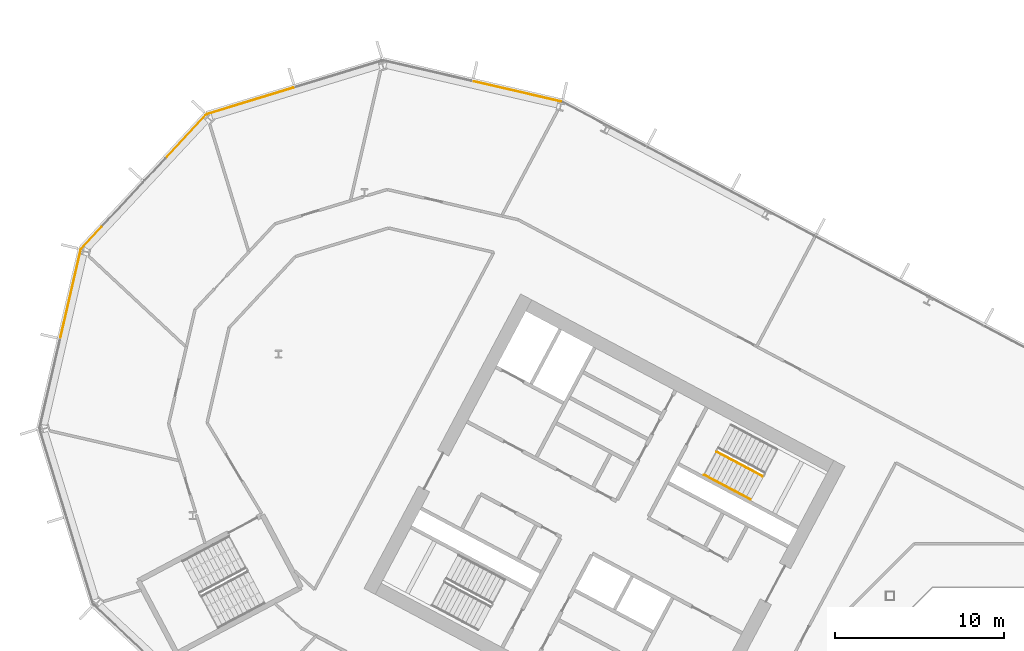
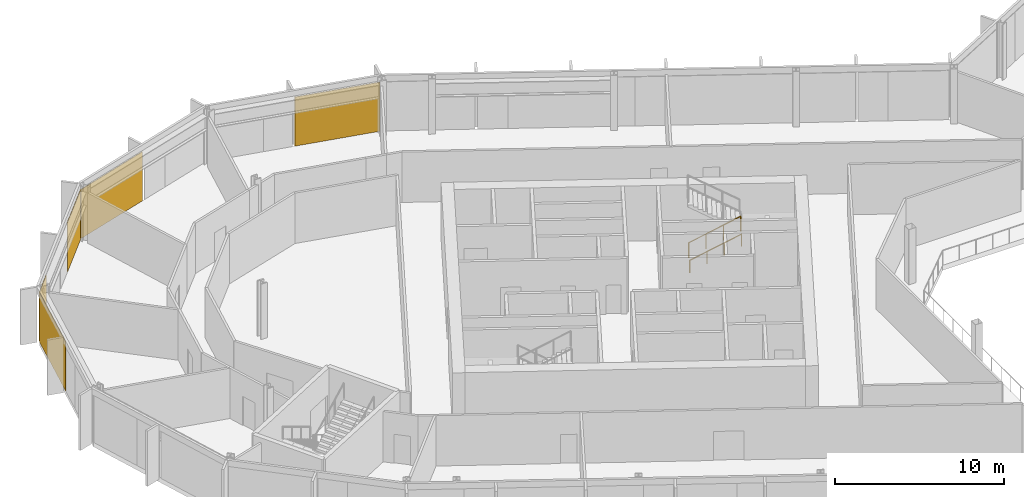
# One storey, part 22 of 28: 5 coverings, 2 railings, 4 elements without a shape of their own.
"""IFC4 building model written with IfcOpenShell, lengths in metres."""

from ifc_helpers import new_model, si_unit, direction, frame, origin, origin_2d, place, context, subcontext, project, spatial, polyline, rectangle, outline, extrude, material, layer, layer_set, type_object, element, aggregate, save


model = new_model("IFC4")

# Units and contexts
model_context = context("Model", 3, precision=1e-05, world=origin(), true_north=direction((0.0, 1.0)))
body_context = subcontext(model_context, "Body", "Model", "MODEL_VIEW")
ifc_project = project(units=[si_unit("LENGTHUNIT", "METRE"), si_unit("AREAUNIT", "SQUARE_METRE"), si_unit("VOLUMEUNIT", "CUBIC_METRE"), si_unit("PLANEANGLEUNIT", "RADIAN"), si_unit("MASSUNIT", "GRAM", prefix="KILO")], contexts=[model_context])

# Site, building, storey
site_placement = place(None, origin())
site = spatial("IfcSite", under=ifc_project, at=site_placement, CompositionType="ELEMENT")
building_placement = place(site_placement, origin())
building = spatial("IfcBuilding", under=site, at=building_placement, Name="Cormorant Relay Tower", CompositionType="ELEMENT")
storey_placement = place(building_placement, frame((0.0, 0.0, 142.199951171875)))
storey = spatial("IfcBuildingStorey", under=building, at=storey_placement, Name="L29", CompositionType="ELEMENT", Elevation=142.199951171875)

# Curtain wall, covering
ifc_material_1 = material(Name="Aluminium 6063-T6 anodised bronze", Category="aluminium")
ifc_layer_1 = layer(ifc_material_1, 0.199951171875)
ifc_layer_set_1 = layer_set([ifc_layer_1], Name="CW1 unitised bronze curtain wall with vertical fins")
curtain_wall_type = type_object("IfcCurtainWallType", Name="CW1 unitised bronze curtain wall with vertical fins", PredefinedType="NOTDEFINED", material=ifc_layer_set_1)
curtain_wall_1_placement = place(storey_placement, origin())
curtain_wall_1 = element("IfcCurtainWall", 1, at=curtain_wall_1_placement, inside=storey, type_object=curtain_wall_type, Name="CW1 curtain wall 10", PredefinedType="NOTDEFINED")
ifc_material_2 = material(Name="Pale bronze anodised aluminium insulated panel", Category="aluminium")
ifc_layer_2 = layer(ifc_material_2, 0.0400390625)
ifc_layer_set_2 = layer_set([ifc_layer_2], Name="CW1 pale bronze insulated panel 40")
covering_type = type_object("IfcCoveringType", Name="CW1 pale bronze insulated panel 40", PredefinedType="CLADDING", material=ifc_layer_set_2)
covering_1_placement = place(storey_placement, frame((-32.51708984375, 40.298828125, 0.0), z_axis=(0.0, 0.0, 1.0), x_axis=(-0.974370064785, 0.224951054344, 0.0)))
covering_1 = element("IfcCovering", 2, at=covering_1_placement, type_object=covering_type, Name="CW1 panel S00", PredefinedType="CLADDING", context=body_context, shape_type="SweptSolid", body=[
    extrude(rectangle(XDim=5.28515625, YDim=0.0400390625, at=origin_2d()), origin(), (0.0, 0.0, 1.0), 3.550048828125),
])
aggregate(curtain_wall_1, [covering_1])

curtain_wall_2_placement = place(storey_placement, origin())
curtain_wall_2 = element("IfcCurtainWall", 3, at=curtain_wall_2_placement, inside=storey, type_object=curtain_wall_type, Name="CW1 curtain wall 11", PredefinedType="NOTDEFINED")
covering_2_placement = place(storey_placement, frame((-48.3037109375, 39.73779296875, 0.0), z_axis=(0.0, 0.0, 1.0), x_axis=(-0.956304755963, -0.292371704723, 0.0)))
covering_2 = element("IfcCovering", 4, at=covering_2_placement, type_object=covering_type, Name="CW1 panel S02", PredefinedType="CLADDING", context=body_context, shape_type="SweptSolid", body=[
    extrude(rectangle(XDim=5.360107421875, YDim=0.0400390625, at=origin_2d()), origin(), (0.0, 0.0, 1.0), 3.550048828125),
])
aggregate(curtain_wall_2, [covering_2])

# Curtain wall, coverings
curtain_wall_3_placement = place(storey_placement, origin())
curtain_wall_3 = element("IfcCurtainWall", 5, at=curtain_wall_3_placement, inside=storey, type_object=curtain_wall_type, Name="CW1 curtain wall 12", PredefinedType="NOTDEFINED")
covering_3_placement = place(storey_placement, frame((-52.115234375, 37.61962890625, 0.0), z_axis=(0.0, 0.0, 1.0), x_axis=(-0.681998360062, -0.731353701619, 0.0)))
covering_3 = element("IfcCovering", 6, at=covering_3_placement, type_object=covering_type, Name="CW1 panel S00", PredefinedType="CLADDING", context=body_context, shape_type="SweptSolid", body=[
    extrude(rectangle(XDim=3.485107421875, YDim=0.0400390625, at=origin_2d()), origin(), (0.0, 0.0, 1.0), 3.550048828125),
])
covering_4_placement = place(storey_placement, frame((-57.68896484375, 31.642333984375, 0.0), z_axis=(0.0, 0.0, 1.0), x_axis=(-0.681998360062, -0.731353701619, 0.0)))
covering_4 = element("IfcCovering", 7, at=covering_4_placement, type_object=covering_type, Name="CW1 panel S03", PredefinedType="CLADDING", context=body_context, shape_type="SweptSolid", body=[
    extrude(rectangle(XDim=1.76025390625, YDim=0.0400390625, at=origin_2d()), origin(), (0.0, 0.0, 1.0), 3.550048828125),
])
aggregate(curtain_wall_3, [covering_3, covering_4])

# Curtain wall, covering
curtain_wall_4_placement = place(storey_placement, origin())
curtain_wall_4 = element("IfcCurtainWall", 8, at=curtain_wall_4_placement, inside=storey, type_object=curtain_wall_type, Name="CW1 curtain wall 13", PredefinedType="NOTDEFINED")
covering_5_placement = place(storey_placement, frame((-58.905517578125, 28.341796875, 0.0), z_axis=(0.0, 0.0, 1.0), x_axis=(-0.224951054344, -0.974370064785, 0.0)))
covering_5 = element("IfcCovering", 9, at=covering_5_placement, type_object=covering_type, Name="CW1 panel S00", PredefinedType="CLADDING", context=body_context, shape_type="SweptSolid", body=[
    extrude(rectangle(XDim=5.28515625, YDim=0.0400390625, at=origin_2d()), origin(), (0.0, 0.0, 1.0), 3.550048828125),
])
aggregate(curtain_wall_4, [covering_5])

# Railings
ifc_material_3 = material(Name="Steel ASTM A572 Grade 50 (Fy 345 MPa)", Category="steel")
railing_type_1 = type_object("IfcRailingType", Name="Stair guard 1100", PredefinedType="GUARDRAIL", material=ifc_material_3)
railing_1_placement = place(storey_placement, frame((-20.75048828125, 19.017822265625, 0.166748046875)))
element("IfcRailing", 10, at=railing_1_placement, inside=storey, type_object=railing_type_1, Name="L29 A1 stair guard 1", PredefinedType="GUARDRAIL", context=body_context, shape_type="SweptSolid", body=[
    extrude(outline(polyline([(0.022216796875, 0.00927734375), (0.00927734375, 0.022216796875), (-0.00927734375, 0.022216796875), (-0.022216796875, 0.00927734375), (-0.022216796875, -0.00927734375), (-0.00927734375, -0.022216796875), (0.00927734375, -0.022216796875), (0.022216796875, -0.00927734375), (0.022216796875, 0.00927734375)])), frame((0.0, 0.0, 1.076171875), z_axis=(0.758734504837, -0.403377838015, 0.511476559549), x_axis=(0.469427602063, 0.882970965786, 0.0)), (0.0, 0.0, 1.0), 3.584228515625),
    extrude(outline(polyline([(0.019287109375, 0.008056640625), (0.008056640625, 0.019287109375), (-0.008056640625, 0.019287109375), (-0.019287109375, 0.008056640625), (-0.019287109375, -0.008056640625), (-0.008056640625, -0.019287109375), (0.008056640625, -0.019287109375), (0.019287109375, -0.008056640625), (0.019287109375, 0.008056640625)])), origin(), (0.0, 0.0, 1.0), 1.052001953125),
    extrude(outline(polyline([(0.019287109375, 0.008056640625), (0.008056640625, 0.019287109375), (-0.008056640625, 0.019287109375), (-0.019287109375, 0.008056640625), (-0.019287109375, -0.008056640625), (-0.008056640625, -0.019287109375), (0.008056640625, -0.019287109375), (0.019287109375, -0.008056640625), (0.019287109375, 0.008056640625)])), frame((0.906494140625, -0.48193359375, 0.611083984375)), (0.0, 0.0, 1.0), 1.052001953125),
    extrude(outline(polyline([(0.019287109375, 0.008056640625), (0.008056640625, 0.019287109375), (-0.008056640625, 0.019287109375), (-0.019287109375, 0.008056640625), (-0.019287109375, -0.008056640625), (-0.008056640625, -0.019287109375), (0.008056640625, -0.019287109375), (0.019287109375, -0.008056640625), (0.019287109375, 0.008056640625)])), frame((1.81298828125, -0.9638671875, 1.22216796875)), (0.0, 0.0, 1.0), 1.052001953125),
    extrude(outline(polyline([(0.019287109375, 0.008056640625), (0.008056640625, 0.019287109375), (-0.008056640625, 0.019287109375), (-0.019287109375, 0.008056640625), (-0.019287109375, -0.008056640625), (-0.008056640625, -0.019287109375), (0.008056640625, -0.019287109375), (0.019287109375, -0.008056640625), (0.019287109375, 0.008056640625)])), frame((2.719482421875, -1.44580078125, 1.833251953125)), (0.0, 0.0, 1.0), 1.052001953125),
])
ifc_material_4 = material(Name="Steel ASTM A572 Grade 50 (Fy 345 MPa)", Category="steel")
railing_type_2 = type_object("IfcRailingType", Name="Stair handrail 900", PredefinedType="HANDRAIL", material=ifc_material_4)
railing_2_placement = place(storey_placement, frame((-21.478271484375, 17.6494140625, 0.166748046875)))
element("IfcRailing", 11, at=railing_2_placement, inside=storey, type_object=railing_type_2, Name="L29 A1 stair handrail 1", PredefinedType="HANDRAIL", context=body_context, shape_type="SweptSolid", body=[
    extrude(outline(polyline([(0.022216796875, 0.00927734375), (0.00927734375, 0.022216796875), (-0.00927734375, 0.022216796875), (-0.022216796875, 0.00927734375), (-0.022216796875, -0.00927734375), (-0.00927734375, -0.022216796875), (0.00927734375, -0.022216796875), (0.022216796875, -0.00927734375), (0.022216796875, 0.00927734375)])), frame((0.0, 0.0, 0.8759765625), z_axis=(0.758713656843, -0.403434867536, 0.511462505542), x_axis=(0.469489399267, 0.882938108802, 0.0)), (0.0, 0.0, 1.0), 3.584228515625),
    extrude(outline(polyline([(0.019287109375, 0.008056640625), (0.008056640625, 0.019287109375), (-0.008056640625, 0.019287109375), (-0.019287109375, 0.008056640625), (-0.019287109375, -0.008056640625), (-0.008056640625, -0.019287109375), (0.008056640625, -0.019287109375), (0.019287109375, -0.008056640625), (0.019287109375, 0.008056640625)])), origin(), (0.0, 0.0, 1.0), 0.851806640625),
    extrude(outline(polyline([(0.019287109375, 0.008056640625), (0.008056640625, 0.019287109375), (-0.008056640625, 0.019287109375), (-0.019287109375, 0.008056640625), (-0.019287109375, -0.008056640625), (-0.008056640625, -0.019287109375), (0.008056640625, -0.019287109375), (0.019287109375, -0.008056640625), (0.019287109375, 0.008056640625)])), frame((0.906494140625, -0.48193359375, 0.611083984375)), (0.0, 0.0, 1.0), 0.851806640625),
    extrude(outline(polyline([(0.019287109375, 0.008056640625), (0.008056640625, 0.019287109375), (-0.008056640625, 0.019287109375), (-0.019287109375, 0.008056640625), (-0.019287109375, -0.008056640625), (-0.008056640625, -0.019287109375), (0.008056640625, -0.019287109375), (0.019287109375, -0.008056640625), (0.019287109375, 0.008056640625)])), frame((1.81298828125, -0.964111328125, 1.22216796875)), (0.0, 0.0, 1.0), 0.851806640625),
    extrude(outline(polyline([(0.019287109375, 0.008056640625), (0.008056640625, 0.019287109375), (-0.008056640625, 0.019287109375), (-0.019287109375, 0.008056640625), (-0.019287109375, -0.008056640625), (-0.008056640625, -0.019287109375), (0.008056640625, -0.019287109375), (0.019287109375, -0.008056640625), (0.019287109375, 0.008056640625)])), frame((2.719482421875, -1.446044921875, 1.833251953125)), (0.0, 0.0, 1.0), 0.851806640625),
])

save(model, "model.ifc")
